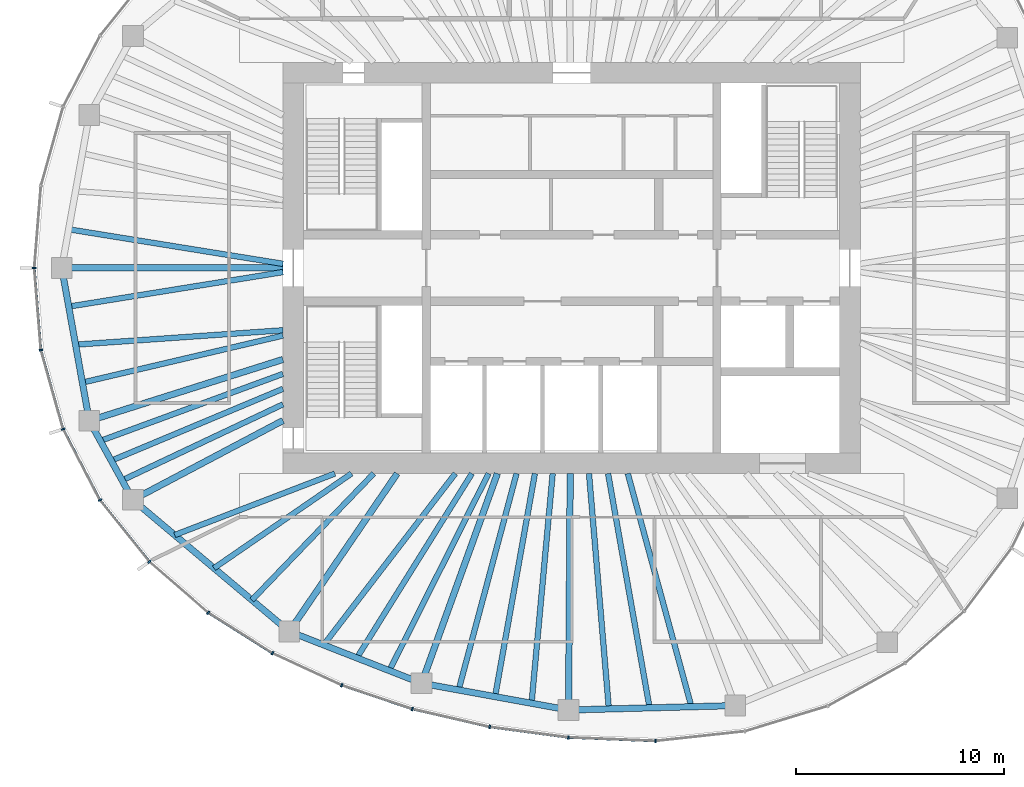
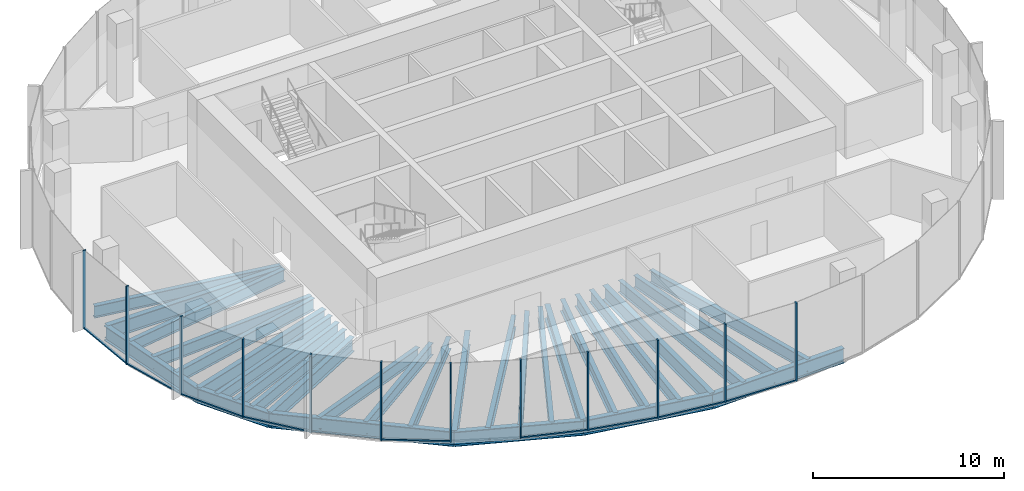
# One storey, part 2 of 11: 31 beams, 21 members, 6 elements without a shape of their own.
"""IFC4 building model written with IfcOpenShell, lengths in metres."""

from ifc_helpers import new_model, si_unit, direction, frame, origin, origin_2d, place, context, subcontext, project, spatial, rectangle, i_section, extrude, material, material_profile, profile_set, type_object, element, aggregate, save


model = new_model("IFC4")

# Units and contexts
model_context = context("Model", 3, precision=1e-05, world=origin(), true_north=direction((0.0, 1.0)))
body_context = subcontext(model_context, "Body", "Model", "MODEL_VIEW")
ifc_project = project(units=[si_unit("LENGTHUNIT", "METRE"), si_unit("AREAUNIT", "SQUARE_METRE"), si_unit("VOLUMEUNIT", "CUBIC_METRE"), si_unit("PLANEANGLEUNIT", "RADIAN"), si_unit("MASSUNIT", "GRAM", prefix="KILO")], contexts=[model_context])

# Site, building, storey
site_placement = place(None, origin())
site = spatial("IfcSite", under=ifc_project, at=site_placement, CompositionType="ELEMENT")
building_placement = place(site_placement, origin())
building = spatial("IfcBuilding", under=site, at=building_placement, Name="Ghaith Harvest Tower", CompositionType="ELEMENT")
storey_placement = place(building_placement, frame((0.0, 0.0, 334.199951171875)))
storey = spatial("IfcBuildingStorey", under=building, at=storey_placement, Name="L75", CompositionType="ELEMENT", Elevation=334.199951171875)

# Curtain wall, members
ifc_material_1 = material(Name="Black anodised aluminium and fritted glass", Category="aluminium")
curtain_wall_type = type_object("IfcCurtainWallType", Name="CW-T CURTAIN WALL", PredefinedType="NOTDEFINED", material=ifc_material_1)
curtain_wall_1_placement = place(storey_placement, origin())
curtain_wall_1 = element("IfcCurtainWall", 1, at=curtain_wall_1_placement, inside=storey, type_object=curtain_wall_type, Name="Curtain wall CW-T bay 11 L75", PredefinedType="NOTDEFINED")
ifc_material_2 = material(Name="Aluminium, black anodised", Category="aluminium")
ifc_material_profile_1 = material_profile(ifc_material_2, rectangle(XDim=0.080078125, YDim=0.179931640625, at=origin_2d()), Name="CW-T MULLION 80x180")
ifc_profile_set_1 = profile_set([ifc_material_profile_1], Name="Aluminium, black anodised")
member_type_1 = type_object("IfcMemberType", Name="CW-T MULLION 80x180", PredefinedType="MULLION", material=ifc_profile_set_1)
member_1_placement = place(storey_placement, frame((-25.8701171875, 0.0, 0.0), z_axis=(0.0, 0.0, 1.0), x_axis=(-1.05e-10, -1.0, 0.0)))
member_1 = element("IfcMember", 2, at=member_1_placement, type_object=member_type_1, Name="CW-T mullion 1 bay 11 L75", PredefinedType="MULLION", context=body_context, shape_type="SweptSolid", body=[
    extrude(rectangle(XDim=0.080078125, YDim=0.179931640625, at=origin_2d()), origin(), (0.0, 0.0, 1.0), 5.0),
])
member_2_placement = place(storey_placement, frame((-25.5517578125, -3.9521484375, 0.0), z_axis=(0.0, 0.0, 1.0), x_axis=(0.176001391003, -0.98438991785, 0.0)))
member_2 = element("IfcMember", 3, at=member_2_placement, type_object=member_type_1, Name="CW-T mullion 2 bay 11 L75", PredefinedType="MULLION", context=body_context, shape_type="SweptSolid", body=[
    extrude(rectangle(XDim=0.080078125, YDim=0.179931640625, at=origin_2d()), origin(), (0.0, 0.0, 1.0), 5.0),
])

curtain_wall_2_placement = place(storey_placement, origin())
curtain_wall_2 = element("IfcCurtainWall", 4, at=curtain_wall_2_placement, inside=storey, type_object=curtain_wall_type, Name="Curtain wall CW-T bay 12 L75", PredefinedType="NOTDEFINED")
member_3_placement = place(storey_placement, frame((-24.482666015625, -7.759033203125, 0.0), z_axis=(0.0, 0.0, 1.0), x_axis=(0.366473104734, -0.930428645038, 0.0)))
member_3 = element("IfcMember", 5, at=member_3_placement, type_object=member_type_1, Name="CW-T mullion 1 bay 12 L75", PredefinedType="MULLION", context=body_context, shape_type="SweptSolid", body=[
    extrude(rectangle(XDim=0.080078125, YDim=0.179931640625, at=origin_2d()), origin(), (0.0, 0.0, 1.0), 5.0),
])
member_4_placement = place(storey_placement, frame((-22.706298828125, -11.176513671875, 0.0), z_axis=(0.0, 0.0, 1.0), x_axis=(0.545865412431, -0.837872873121, 0.0)))
member_4 = element("IfcMember", 6, at=member_4_placement, type_object=member_type_1, Name="CW-T mullion 2 bay 12 L75", PredefinedType="MULLION", context=body_context, shape_type="SweptSolid", body=[
    extrude(rectangle(XDim=0.080078125, YDim=0.179931640625, at=origin_2d()), origin(), (0.0, 0.0, 1.0), 5.0),
])

curtain_wall_3_placement = place(storey_placement, origin())
curtain_wall_3 = element("IfcCurtainWall", 7, at=curtain_wall_3_placement, inside=storey, type_object=curtain_wall_type, Name="Curtain wall CW-T bay 13 L75", PredefinedType="NOTDEFINED")
member_5_placement = place(storey_placement, frame((-20.324462890625, -14.141845703125, 0.0), z_axis=(0.0, 0.0, 1.0), x_axis=(0.692826491831, -0.721104328248, 0.0)))
member_5 = element("IfcMember", 8, at=member_5_placement, type_object=member_type_1, Name="CW-T mullion 1 bay 13 L75", PredefinedType="MULLION", context=body_context, shape_type="SweptSolid", body=[
    extrude(rectangle(XDim=0.080078125, YDim=0.179931640625, at=origin_2d()), origin(), (0.0, 0.0, 1.0), 5.0),
])
member_6_placement = place(storey_placement, frame((-17.49462890625, -16.600830078125, 0.0), z_axis=(0.0, 0.0, 1.0), x_axis=(0.802189888845, -0.59706899286, 0.0)))
member_6 = element("IfcMember", 9, at=member_6_placement, type_object=member_type_1, Name="CW-T mullion 2 bay 13 L75", PredefinedType="MULLION", context=body_context, shape_type="SweptSolid", body=[
    extrude(rectangle(XDim=0.080078125, YDim=0.179931640625, at=origin_2d()), origin(), (0.0, 0.0, 1.0), 5.0),
])

curtain_wall_4_placement = place(storey_placement, origin())
curtain_wall_4 = element("IfcCurtainWall", 10, at=curtain_wall_4_placement, inside=storey, type_object=curtain_wall_type, Name="Curtain wall CW-T bay 14 L75", PredefinedType="NOTDEFINED")
member_7_placement = place(storey_placement, frame((-14.40478515625, -18.5478515625, 0.0), z_axis=(0.0, 0.0, 1.0), x_axis=(0.878671732732, -0.477426419564, 0.0)))
member_7 = element("IfcMember", 11, at=member_7_placement, type_object=member_type_1, Name="CW-T mullion 1 bay 14 L75", PredefinedType="MULLION", context=body_context, shape_type="SweptSolid", body=[
    extrude(rectangle(XDim=0.080078125, YDim=0.179931640625, at=origin_2d()), origin(), (0.0, 0.0, 1.0), 5.0),
])
member_8_placement = place(storey_placement, frame((-11.0673828125, -20.093017578125, 0.0), z_axis=(0.0, 0.0, 1.0), x_axis=(0.92862442092, -0.371021138038, 0.0)))
member_8 = element("IfcMember", 12, at=member_8_placement, type_object=member_type_1, Name="CW-T mullion 2 bay 14 L75", PredefinedType="MULLION", context=body_context, shape_type="SweptSolid", body=[
    extrude(rectangle(XDim=0.080078125, YDim=0.179931640625, at=origin_2d()), origin(), (0.0, 0.0, 1.0), 5.0),
])

curtain_wall_5_placement = place(storey_placement, origin())
curtain_wall_5 = element("IfcCurtainWall", 13, at=curtain_wall_5_placement, inside=storey, type_object=curtain_wall_type, Name="Curtain wall CW-T bay 15 L75", PredefinedType="NOTDEFINED")
member_9_placement = place(storey_placement, frame((-7.6708984375, -21.23828125, 0.0), z_axis=(0.0, 0.0, 1.0), x_axis=(0.962552491659, -0.271095372151, 0.0)))
member_9 = element("IfcMember", 14, at=member_9_placement, type_object=member_type_1, Name="CW-T mullion 1 bay 15 L75", PredefinedType="MULLION", context=body_context, shape_type="SweptSolid", body=[
    extrude(rectangle(XDim=0.080078125, YDim=0.179931640625, at=origin_2d()), origin(), (0.0, 0.0, 1.0), 5.0),
])
member_10_placement = place(storey_placement, frame((-3.946533203125, -22.0986328125, 0.0), z_axis=(0.0, 0.0, 1.0), x_axis=(0.983843447712, -0.179030920217, 0.0)))
member_10 = element("IfcMember", 15, at=member_10_placement, type_object=member_type_1, Name="CW-T mullion 2 bay 15 L75", PredefinedType="MULLION", context=body_context, shape_type="SweptSolid", body=[
    extrude(rectangle(XDim=0.080078125, YDim=0.179931640625, at=origin_2d()), origin(), (0.0, 0.0, 1.0), 5.0),
])

curtain_wall_6_placement = place(storey_placement, origin())
curtain_wall_6 = element("IfcCurtainWall", 16, at=curtain_wall_6_placement, inside=storey, type_object=curtain_wall_type, Name="Curtain wall CW-T bay 16 L75", PredefinedType="NOTDEFINED")
member_11_placement = place(storey_placement, frame((-0.15478515625, -22.60595703125, 0.0), z_axis=(0.0, 0.0, 1.0), x_axis=(0.996414855524, -0.084601629366, 0.0)))
member_11 = element("IfcMember", 17, at=member_11_placement, type_object=member_type_1, Name="CW-T mullion 1 bay 16 L75", PredefinedType="MULLION", context=body_context, shape_type="SweptSolid", body=[
    extrude(rectangle(XDim=0.080078125, YDim=0.179931640625, at=origin_2d()), origin(), (0.0, 0.0, 1.0), 5.0),
])
member_12_placement = place(storey_placement, frame((4.037841796875, -22.776611328125, 0.0), z_axis=(0.0, 0.0, 1.0), x_axis=(0.999388631241, 0.034962318939, 0.0)))
member_12 = element("IfcMember", 18, at=member_12_placement, type_object=member_type_1, Name="CW-T mullion 2 bay 16 L75", PredefinedType="MULLION", context=body_context, shape_type="SweptSolid", body=[
    extrude(rectangle(XDim=0.080078125, YDim=0.179931640625, at=origin_2d()), origin(), (0.0, 0.0, 1.0), 5.0),
])

# Member
ifc_material_3 = material(Name="Aluminium, black anodised", Category="aluminium")
ifc_material_profile_2 = material_profile(ifc_material_3, rectangle(XDim=0.1201171875, YDim=0.080078125, at=origin_2d()), Name="CW-T TRANSOM 120x80")
ifc_profile_set_2 = profile_set([ifc_material_profile_2], Name="Aluminium, black anodised")
member_type_2 = type_object("IfcMemberType", Name="CW-T TRANSOM 120x80", PredefinedType="USERDEFINED", material=ifc_profile_set_2)
member_13_placement = place(storey_placement, frame((-25.86669921875, -0.039794921875, 0.0400390625), z_axis=(0.08025226314, -0.996774585481, 0.0), x_axis=(0.996774585481, 0.08025226314, 0.0)))
member_13 = element("IfcMember", 19, at=member_13_placement, type_object=member_type_2, Name="CW-T transom 1 bay 11 L75", ObjectType="TRANSOM", PredefinedType="USERDEFINED", context=body_context, shape_type="SweptSolid", body=[
    extrude(rectangle(XDim=0.1201171875, YDim=0.080078125, at=origin_2d()), origin(), (0.0, 0.0, 1.0), 3.884765625),
])

member_14_placement = place(storey_placement, frame((-25.541015625, -3.990478515625, 0.0400390625), z_axis=(0.270340422972, -0.962764797709, 0.0), x_axis=(0.962764797709, 0.270340422972, 0.0)))
member_14 = element("IfcMember", 20, at=member_14_placement, type_object=member_type_2, Name="CW-T transom 2 bay 11 L75", ObjectType="TRANSOM", PredefinedType="USERDEFINED", context=body_context, shape_type="SweptSolid", body=[
    extrude(rectangle(XDim=0.1201171875, YDim=0.080078125, at=origin_2d()), origin(), (0.0, 0.0, 1.0), 3.874267578125),
])

aggregate(curtain_wall_1, [member_1, member_13, member_2, member_14])

member_15_placement = place(storey_placement, frame((-24.46435546875, -7.79443359375, 0.0400390625), z_axis=(0.461242681347, -0.887274021317, 0.0), x_axis=(0.887274021317, 0.461242681347, 0.0)))
member_15 = element("IfcMember", 21, at=member_15_placement, type_object=member_type_2, Name="CW-T transom 1 bay 12 L75", ObjectType="TRANSOM", PredefinedType="USERDEFINED", context=body_context, shape_type="SweptSolid", body=[
    extrude(rectangle(XDim=0.1201171875, YDim=0.080078125, at=origin_2d()), origin(), (0.0, 0.0, 1.0), 3.77197265625),
])

member_16_placement = place(storey_placement, frame((-22.68115234375, -11.207763671875, 0.0400390625), z_axis=(0.626253073761, -0.779619835307, 0.0), x_axis=(0.779619835307, 0.626253073761, 0.0)))
member_16 = element("IfcMember", 22, at=member_16_placement, type_object=member_type_2, Name="CW-T transom 2 bay 12 L75", ObjectType="TRANSOM", PredefinedType="USERDEFINED", context=body_context, shape_type="SweptSolid", body=[
    extrude(rectangle(XDim=0.1201171875, YDim=0.080078125, at=origin_2d()), origin(), (0.0, 0.0, 1.0), 3.723388671875),
])

aggregate(curtain_wall_2, [member_3, member_15, member_4, member_16])

member_17_placement = place(storey_placement, frame((-17.4609375, -16.6220703125, 0.0400390625), z_axis=(0.846053602505, -0.533097835006, 0.0), x_axis=(0.533097835006, 0.846053602505, 0.0)))
member_17 = element("IfcMember", 23, at=member_17_placement, type_object=member_type_2, Name="CW-T transom 2 bay 13 L75", ObjectType="TRANSOM", PredefinedType="USERDEFINED", context=body_context, shape_type="SweptSolid", body=[
    extrude(rectangle(XDim=0.1201171875, YDim=0.080078125, at=origin_2d()), origin(), (0.0, 0.0, 1.0), 3.572021484375),
])

aggregate(curtain_wall_3, [member_5, member_6, member_17])

member_18_placement = place(storey_placement, frame((-11.029541015625, -20.105712890625, 0.0400390625), z_axis=(0.9475698206, -0.319548799228, 0.0), x_axis=(0.319548799228, 0.9475698206, 0.0)))
member_18 = element("IfcMember", 24, at=member_18_placement, type_object=member_type_2, Name="CW-T transom 2 bay 14 L75", ObjectType="TRANSOM", PredefinedType="USERDEFINED", context=body_context, shape_type="SweptSolid", body=[
    extrude(rectangle(XDim=0.1201171875, YDim=0.080078125, at=origin_2d()), origin(), (0.0, 0.0, 1.0), 3.504638671875),
])

aggregate(curtain_wall_4, [member_7, member_8, member_18])

member_19_placement = place(storey_placement, frame((-7.6318359375, -21.247314453125, 0.0400390625), z_axis=(0.974344997799, -0.225059603803, 0.0), x_axis=(0.225059603803, 0.974344997799, 0.0)))
member_19 = element("IfcMember", 25, at=member_19_placement, type_object=member_type_2, Name="CW-T transom 1 bay 15 L75", ObjectType="TRANSOM", PredefinedType="USERDEFINED", context=body_context, shape_type="SweptSolid", body=[
    extrude(rectangle(XDim=0.1201171875, YDim=0.080078125, at=origin_2d()), origin(), (0.0, 0.0, 1.0), 3.742431640625),
])

member_20_placement = place(storey_placement, frame((-3.90673828125, -22.10400390625, 0.0400390625), z_axis=(0.99117202259, -0.132582131655, 0.0), x_axis=(0.132582131655, 0.99117202259, 0.0)))
member_20 = element("IfcMember", 26, at=member_20_placement, type_object=member_type_2, Name="CW-T transom 2 bay 15 L75", ObjectType="TRANSOM", PredefinedType="USERDEFINED", context=body_context, shape_type="SweptSolid", body=[
    extrude(rectangle(XDim=0.1201171875, YDim=0.080078125, at=origin_2d()), origin(), (0.0, 0.0, 1.0), 3.745361328125),
])

aggregate(curtain_wall_5, [member_9, member_19, member_10, member_20])

member_21_placement = place(storey_placement, frame((-0.11474609375, -22.607666015625, 0.0400390625), z_axis=(0.999174207562, -0.040631304968, 0.0), x_axis=(0.040631304968, 0.999174207562, 0.0)))
member_21 = element("IfcMember", 27, at=member_21_placement, type_object=member_type_2, Name="CW-T transom 1 bay 16 L75", ObjectType="TRANSOM", PredefinedType="USERDEFINED", context=body_context, shape_type="SweptSolid", body=[
    extrude(rectangle(XDim=0.1201171875, YDim=0.080078125, at=origin_2d()), origin(), (0.0, 0.0, 1.0), 4.115966796875),
])

aggregate(curtain_wall_6, [member_11, member_21, member_12])

# Beams
ifc_material_4 = material(Name="Steel ASTM A992 Grade 50", Category="steel")
ifc_material_profile_3 = material_profile(ifc_material_4, i_section(OverallWidth=0.306884765625, OverallDepth=0.94189453125, WebThickness=0.022216796875, FlangeThickness=0.039794921875, at=origin_2d()), Name="W920X345")
ifc_profile_set_3 = profile_set([ifc_material_profile_3], Name="Steel ASTM A992 Grade 50")
beam_type_1 = type_object("IfcBeamType", Name="E920-345 W920X345", PredefinedType="SPANDREL", material=ifc_profile_set_3)
beam_1_placement = place(storey_placement, frame((-24.550048828125, 0.0, -0.696044921875), z_axis=(0.177296554745, -0.984157473007, 0.0), x_axis=(0.984157473007, 0.177296554745, 0.0)))
element("IfcBeam", 28, at=beam_1_placement, inside=storey, type_object=beam_type_1, Name="Edge beam E11 L75", PredefinedType="SPANDREL", context=body_context, shape_type="SweptSolid", body=[
    extrude(i_section(OverallWidth=0.306884765625, OverallDepth=0.94189453125, WebThickness=0.022216796875, FlangeThickness=0.039794921875, at=origin_2d()), origin(), (0.0, 0.0, 1.0), 7.478515625),
])
beam_2_placement = place(storey_placement, frame((-23.22412109375, -7.360107421875, -0.696044921875), z_axis=(0.482955575345, -0.875644855089, 0.0), x_axis=(0.875644855089, 0.482955575345, 0.0)))
element("IfcBeam", 29, at=beam_2_placement, inside=storey, type_object=beam_type_1, Name="Edge beam E12 L75", PredefinedType="SPANDREL", context=body_context, shape_type="SweptSolid", body=[
    extrude(i_section(OverallWidth=0.306884765625, OverallDepth=0.94189453125, WebThickness=0.022216796875, FlangeThickness=0.039794921875, at=origin_2d()), origin(), (0.0, 0.0, 1.0), 4.346435546875),
])
beam_3_placement = place(storey_placement, frame((-21.125, -11.166015625, -0.696044921875), z_axis=(0.765021818761, -0.64400436087, 0.0), x_axis=(0.64400436087, 0.765021818761, 0.0)))
element("IfcBeam", 30, at=beam_3_placement, inside=storey, type_object=beam_type_1, Name="Edge beam E13 L75", PredefinedType="SPANDREL", context=body_context, shape_type="SweptSolid", body=[
    extrude(i_section(OverallWidth=0.306884765625, OverallDepth=0.94189453125, WebThickness=0.022216796875, FlangeThickness=0.039794921875, at=origin_2d()), origin(), (0.0, 0.0, 1.0), 9.8427734375),
])
beam_4_placement = place(storey_placement, frame((-13.594970703125, -17.5048828125, -0.696044921875), z_axis=(0.931322768207, -0.364194867371, 0.0), x_axis=(0.364194867371, 0.931322768207, 0.0)))
element("IfcBeam", 31, at=beam_4_placement, inside=storey, type_object=beam_type_1, Name="Edge beam E14 L75", PredefinedType="SPANDREL", context=body_context, shape_type="SweptSolid", body=[
    extrude(i_section(OverallWidth=0.306884765625, OverallDepth=0.94189453125, WebThickness=0.022216796875, FlangeThickness=0.039794921875, at=origin_2d()), origin(), (0.0, 0.0, 1.0), 6.843017578125),
])
beam_5_placement = place(storey_placement, frame((-7.221923828125, -19.9970703125, -0.696044921875), z_axis=(0.983813921429, -0.179193102551, 0.0), x_axis=(0.179193102551, 0.983813921429, 0.0)))
element("IfcBeam", 32, at=beam_5_placement, inside=storey, type_object=beam_type_1, Name="Edge beam E15 L75", PredefinedType="SPANDREL", context=body_context, shape_type="SweptSolid", body=[
    extrude(i_section(OverallWidth=0.306884765625, OverallDepth=0.94189453125, WebThickness=0.022216796875, FlangeThickness=0.039794921875, at=origin_2d()), origin(), (0.0, 0.0, 1.0), 7.1923828125),
])
beam_6_placement = place(storey_placement, frame((-0.14599609375, -21.285888671875, -0.696044921875), z_axis=(0.999644979696, 0.02664422206, 0.0), x_axis=(-0.02664422206, 0.999644979696, 0.0)))
element("IfcBeam", 33, at=beam_6_placement, inside=storey, type_object=beam_type_1, Name="Edge beam E16 L75", PredefinedType="SPANDREL", context=body_context, shape_type="SweptSolid", body=[
    extrude(i_section(OverallWidth=0.306884765625, OverallDepth=0.94189453125, WebThickness=0.022216796875, FlangeThickness=0.039794921875, at=origin_2d()), origin(), (0.0, 0.0, 1.0), 8.02685546875),
])
ifc_material_5 = material(Name="Steel ASTM A992 Grade 50", Category="steel")
ifc_material_profile_4 = material_profile(ifc_material_5, i_section(OverallWidth=0.31005859375, OverallDepth=0.927001953125, WebThickness=0.019287109375, FlangeThickness=0.031982421875, at=origin_2d()), Name="W920X289")
ifc_profile_set_4 = profile_set([ifc_material_profile_4], Name="Steel ASTM A992 Grade 50")
beam_type_2 = type_object("IfcBeamType", Name="G920-289 W920X289", PredefinedType="BEAM", material=ifc_profile_set_4)
beam_7_placement = place(storey_placement, frame((-13.89990234375, 0.0, -0.6884765625), z_axis=(-1.0, 0.0, 0.0), x_axis=(0.0, -1.0, 0.0)))
element("IfcBeam", 34, at=beam_7_placement, inside=storey, type_object=beam_type_2, Name="Radial girder G11 L75", PredefinedType="BEAM", context=body_context, shape_type="SweptSolid", body=[
    extrude(i_section(OverallWidth=0.31005859375, OverallDepth=0.927001953125, WebThickness=0.019287109375, FlangeThickness=0.031982421875, at=origin_2d()), origin(), (0.0, 0.0, 1.0), 10.650146484375),
])
beam_8_placement = place(storey_placement, frame((-13.89990234375, -4.4052734375, -0.6884765625), z_axis=(-0.953278508772, -0.302092841215, 0.0), x_axis=(0.302092841215, -0.953278508772, 0.0)))
element("IfcBeam", 35, at=beam_8_placement, inside=storey, type_object=beam_type_2, Name="Radial girder G12 L75", PredefinedType="BEAM", context=body_context, shape_type="SweptSolid", body=[
    extrude(i_section(OverallWidth=0.31005859375, OverallDepth=0.927001953125, WebThickness=0.019287109375, FlangeThickness=0.031982421875, at=origin_2d()), origin(), (0.0, 0.0, 1.0), 9.78125),
])
beam_9_placement = place(storey_placement, frame((-13.89990234375, -7.34716796875, -0.6884765625), z_axis=(-0.88410164037, -0.467294649546, 0.0), x_axis=(0.467294649546, -0.88410164037, 0.0)))
element("IfcBeam", 36, at=beam_9_placement, inside=storey, type_object=beam_type_2, Name="Radial girder G13 L75", PredefinedType="BEAM", context=body_context, shape_type="SweptSolid", body=[
    extrude(i_section(OverallWidth=0.31005859375, OverallDepth=0.927001953125, WebThickness=0.019287109375, FlangeThickness=0.031982421875, at=origin_2d()), origin(), (0.0, 0.0, 1.0), 8.17236328125),
])
beam_10_placement = place(storey_placement, frame((-8.39990234375, -9.89990234375, -0.6884765625), z_axis=(-0.564067018201, -0.825729010619, 0.0), x_axis=(0.825729010619, -0.564067018201, 0.0)))
element("IfcBeam", 37, at=beam_10_placement, inside=storey, type_object=beam_type_2, Name="Radial girder G14 L75", PredefinedType="BEAM", context=body_context, shape_type="SweptSolid", body=[
    extrude(i_section(OverallWidth=0.31005859375, OverallDepth=0.927001953125, WebThickness=0.019287109375, FlangeThickness=0.031982421875, at=origin_2d()), origin(), (0.0, 0.0, 1.0), 9.2099609375),
])
beam_11_placement = place(storey_placement, frame((-3.57568359375, -9.89990234375, -0.6884765625), z_axis=(-0.339647816823, -0.940552688863, 0.0), x_axis=(0.940552688863, -0.339647816823, 0.0)))
element("IfcBeam", 38, at=beam_11_placement, inside=storey, type_object=beam_type_2, Name="Radial girder G15 L75", PredefinedType="BEAM", context=body_context, shape_type="SweptSolid", body=[
    extrude(i_section(OverallWidth=0.31005859375, OverallDepth=0.927001953125, WebThickness=0.019287109375, FlangeThickness=0.031982421875, at=origin_2d()), origin(), (0.0, 0.0, 1.0), 10.7353515625),
])
beam_12_placement = place(storey_placement, frame((-0.06787109375, -9.89990234375, -0.6884765625), z_axis=(-0.006861343299, -0.999976460707, 0.0), x_axis=(0.999976460707, -0.006861343299, 0.0)))
element("IfcBeam", 39, at=beam_12_placement, inside=storey, type_object=beam_type_2, Name="Radial girder G16 L75", PredefinedType="BEAM", context=body_context, shape_type="SweptSolid", body=[
    extrude(i_section(OverallWidth=0.31005859375, OverallDepth=0.927001953125, WebThickness=0.019287109375, FlangeThickness=0.031982421875, at=origin_2d()), origin(), (0.0, 0.0, 1.0), 11.38623046875),
])
ifc_material_6 = material(Name="Steel ASTM A992 Grade 50", Category="steel")
ifc_material_profile_5 = material_profile(ifc_material_6, i_section(OverallWidth=0.26806640625, OverallDepth=0.77001953125, WebThickness=0.015625, FlangeThickness=0.025390625, at=origin_2d()), Name="W760X196")
ifc_profile_set_5 = profile_set([ifc_material_profile_5], Name="Steel ASTM A992 Grade 50")
beam_type_3 = type_object("IfcBeamType", Name="J760-196 W760X196", PredefinedType="JOIST", material=ifc_profile_set_5)
for number, where, z_axis, x_axis, name in (
    (40, (-13.89990234375, 0.199951171875, -0.60986328125), (-0.987271793524, 0.159042150743, 0.0), (-0.159042150743, -0.987271793524, 0.0), "Joist J10.3 L75"),
    (41, (-13.89990234375, -0.199951171875, -0.60986328125), (-0.987271793524, -0.159042150743, 0.0), (0.159042150743, -0.987271793524, 0.0), "Joist J11.1 L75"),
):
    element("IfcBeam", number, at=place(storey_placement, frame(where, z_axis=z_axis, x_axis=x_axis)), inside=storey, type_object=beam_type_3, Name=name, PredefinedType="JOIST", context=body_context, shape_type="SweptSolid", body=[
        extrude(i_section(OverallWidth=0.26806640625, OverallDepth=0.77001953125, WebThickness=0.015625, FlangeThickness=0.025390625, at=origin_2d()), origin(), (0.0, 0.0, 1.0), 10.44775390625),
    ])
beam_13_placement = place(storey_placement, frame((-13.89990234375, -3.0, -0.60986328125), z_axis=(-0.997592478057, -0.069348739886, 0.0), x_axis=(0.069348739886, -0.997592478057, 0.0)))
element("IfcBeam", 42, at=beam_13_placement, inside=storey, type_object=beam_type_3, Name="Joist J11.2 L75", PredefinedType="JOIST", context=body_context, shape_type="SweptSolid", body=[
    extrude(i_section(OverallWidth=0.26806640625, OverallDepth=0.77001953125, WebThickness=0.015625, FlangeThickness=0.025390625, at=origin_2d()), origin(), (0.0, 0.0, 1.0), 10.0087890625),
])
beam_14_placement = place(storey_placement, frame((-13.89990234375, -3.257080078125, -0.60986328125), z_axis=(-0.973623403271, -0.228161058472, 0.0), x_axis=(0.228161058472, -0.973623403271, 0.0)))
element("IfcBeam", 43, at=beam_14_placement, inside=storey, type_object=beam_type_3, Name="Joist J11.3 L75", PredefinedType="JOIST", context=body_context, shape_type="SweptSolid", body=[
    extrude(i_section(OverallWidth=0.26806640625, OverallDepth=0.77001953125, WebThickness=0.015625, FlangeThickness=0.025390625, at=origin_2d()), origin(), (0.0, 0.0, 1.0), 9.9169921875),
])
beam_15_placement = place(storey_placement, frame((-13.89990234375, -5.101318359375, -0.60986328125), z_axis=(-0.938776837502, -0.34452583266, 0.0), x_axis=(0.34452583266, -0.938776837502, 0.0)))
element("IfcBeam", 44, at=beam_15_placement, inside=storey, type_object=beam_type_3, Name="Joist J12.1 L75", PredefinedType="JOIST", context=body_context, shape_type="SweptSolid", body=[
    extrude(i_section(OverallWidth=0.26806640625, OverallDepth=0.77001953125, WebThickness=0.015625, FlangeThickness=0.025390625, at=origin_2d()), origin(), (0.0, 0.0, 1.0), 9.36376953125),
])
beam_16_placement = place(storey_placement, frame((-13.89990234375, -5.82080078125, -0.60986328125), z_axis=(-0.922394258818, -0.38624970071, 0.0), x_axis=(0.38624970071, -0.922394258818, 0.0)))
element("IfcBeam", 45, at=beam_16_placement, inside=storey, type_object=beam_type_3, Name="Joist J12.2 L75", PredefinedType="JOIST", context=body_context, shape_type="SweptSolid", body=[
    extrude(i_section(OverallWidth=0.26806640625, OverallDepth=0.77001953125, WebThickness=0.015625, FlangeThickness=0.025390625, at=origin_2d()), origin(), (0.0, 0.0, 1.0), 8.959716796875),
])
beam_17_placement = place(storey_placement, frame((-13.89990234375, -6.56787109375, -0.60986328125), z_axis=(-0.904165769726, -0.427181765594, 0.0), x_axis=(0.427181765594, -0.904165769726, 0.0)))
element("IfcBeam", 46, at=beam_17_placement, inside=storey, type_object=beam_type_3, Name="Joist J12.3 L75", PredefinedType="JOIST", context=body_context, shape_type="SweptSolid", body=[
    extrude(i_section(OverallWidth=0.26806640625, OverallDepth=0.77001953125, WebThickness=0.015625, FlangeThickness=0.025390625, at=origin_2d()), origin(), (0.0, 0.0, 1.0), 8.564208984375),
])
beam_18_placement = place(storey_placement, frame((-11.39990234375, -9.89990234375, -0.60986328125), z_axis=(-0.933583045329, -0.358361127181, 0.0), x_axis=(0.358361127181, -0.933583045329, 0.0)))
element("IfcBeam", 47, at=beam_18_placement, inside=storey, type_object=beam_type_3, Name="Joist J13.1 L75", PredefinedType="JOIST", context=body_context, shape_type="SweptSolid", body=[
    extrude(i_section(OverallWidth=0.26806640625, OverallDepth=0.77001953125, WebThickness=0.015625, FlangeThickness=0.025390625, at=origin_2d()), origin(), (0.0, 0.0, 1.0), 8.260986328125),
])
beam_19_placement = place(storey_placement, frame((-10.60009765625, -9.89990234375, -0.60986328125), z_axis=(-0.823778502511, -0.566911791023, 0.0), x_axis=(0.566911791023, -0.823778502511, 0.0)))
element("IfcBeam", 48, at=beam_19_placement, inside=storey, type_object=beam_type_3, Name="Joist J13.2 L75", PredefinedType="JOIST", context=body_context, shape_type="SweptSolid", body=[
    extrude(i_section(OverallWidth=0.26806640625, OverallDepth=0.77001953125, WebThickness=0.015625, FlangeThickness=0.025390625, at=origin_2d()), origin(), (0.0, 0.0, 1.0), 8.0341796875),
])
beam_20_placement = place(storey_placement, frame((-9.530517578125, -9.89990234375, -0.60986328125), z_axis=(-0.693536238632, -0.720421741554, 0.0), x_axis=(0.720421741554, -0.693536238632, 0.0)))
element("IfcBeam", 49, at=beam_20_placement, inside=storey, type_object=beam_type_3, Name="Joist J13.3 L75", PredefinedType="JOIST", context=body_context, shape_type="SweptSolid", body=[
    extrude(i_section(OverallWidth=0.26806640625, OverallDepth=0.77001953125, WebThickness=0.015625, FlangeThickness=0.025390625, at=origin_2d()), origin(), (0.0, 0.0, 1.0), 8.4541015625),
])
beam_21_placement = place(storey_placement, frame((-5.60009765625, -9.89990234375, -0.60986328125), z_axis=(-0.609353577926, -0.792898617144, 0.0), x_axis=(0.792898617144, -0.609353577926, 0.0)))
element("IfcBeam", 50, at=beam_21_placement, inside=storey, type_object=beam_type_3, Name="Joist J14.1 L75", PredefinedType="JOIST", context=body_context, shape_type="SweptSolid", body=[
    extrude(i_section(OverallWidth=0.26806640625, OverallDepth=0.77001953125, WebThickness=0.015625, FlangeThickness=0.025390625, at=origin_2d()), origin(), (0.0, 0.0, 1.0), 10.406982421875),
])
beam_22_placement = place(storey_placement, frame((-4.800048828125, -9.89990234375, -0.60986328125), z_axis=(-0.529596254905, -0.848249849273, 0.0), x_axis=(0.848249849273, -0.529596254905, 0.0)))
element("IfcBeam", 51, at=beam_22_placement, inside=storey, type_object=beam_type_3, Name="Joist J14.2 L75", PredefinedType="JOIST", context=body_context, shape_type="SweptSolid", body=[
    extrude(i_section(OverallWidth=0.26806640625, OverallDepth=0.77001953125, WebThickness=0.015625, FlangeThickness=0.025390625, at=origin_2d()), origin(), (0.0, 0.0, 1.0), 10.465087890625),
])
beam_23_placement = place(storey_placement, frame((-4.0, -9.89990234375, -0.60986328125), z_axis=(-0.449556131123, -0.893252083664, 0.0), x_axis=(0.893252083664, -0.449556131123, 0.0)))
element("IfcBeam", 52, at=beam_23_placement, inside=storey, type_object=beam_type_3, Name="Joist J14.3 L75", PredefinedType="JOIST", context=body_context, shape_type="SweptSolid", body=[
    extrude(i_section(OverallWidth=0.26806640625, OverallDepth=0.77001953125, WebThickness=0.015625, FlangeThickness=0.025390625, at=origin_2d()), origin(), (0.0, 0.0, 1.0), 10.62353515625),
])
beam_24_placement = place(storey_placement, frame((-2.651123046875, -9.89990234375, -0.60986328125), z_axis=(-0.258678019609, -0.965963602923, 0.0), x_axis=(0.965963602923, -0.258678019609, 0.0)))
element("IfcBeam", 53, at=beam_24_placement, inside=storey, type_object=beam_type_3, Name="Joist J15.1 L75", PredefinedType="JOIST", context=body_context, shape_type="SweptSolid", body=[
    extrude(i_section(OverallWidth=0.26806640625, OverallDepth=0.77001953125, WebThickness=0.015625, FlangeThickness=0.025390625, at=origin_2d()), origin(), (0.0, 0.0, 1.0), 10.78857421875),
])
beam_25_placement = place(storey_placement, frame((-1.76806640625, -9.89990234375, -0.60986328125), z_axis=(-0.175803029262, -0.984425362789, 0.0), x_axis=(0.984425362789, -0.175803029262, 0.0)))
element("IfcBeam", 54, at=beam_25_placement, inside=storey, type_object=beam_type_3, Name="Joist J15.2 L75", PredefinedType="JOIST", context=body_context, shape_type="SweptSolid", body=[
    extrude(i_section(OverallWidth=0.26806640625, OverallDepth=0.77001953125, WebThickness=0.015625, FlangeThickness=0.025390625, at=origin_2d()), origin(), (0.0, 0.0, 1.0), 10.9111328125),
])
beam_26_placement = place(storey_placement, frame((-0.9111328125, -9.89990234375, -0.60986328125), z_axis=(-0.091651380942, -0.995791154998, 0.0), x_axis=(0.995791154998, -0.091651380942, 0.0)))
element("IfcBeam", 55, at=beam_26_placement, inside=storey, type_object=beam_type_3, Name="Joist J15.3 L75", PredefinedType="JOIST", context=body_context, shape_type="SweptSolid", body=[
    extrude(i_section(OverallWidth=0.26806640625, OverallDepth=0.77001953125, WebThickness=0.015625, FlangeThickness=0.025390625, at=origin_2d()), origin(), (0.0, 0.0, 1.0), 11.10791015625),
])
beam_27_placement = place(storey_placement, frame((0.836669921875, -9.89990234375, -0.60986328125), z_axis=(0.084201795166, -0.996448723061, 0.0), x_axis=(0.996448723061, 0.084201795166, 0.0)))
element("IfcBeam", 56, at=beam_27_placement, inside=storey, type_object=beam_type_3, Name="Joist J16.1 L75", PredefinedType="JOIST", context=body_context, shape_type="SweptSolid", body=[
    extrude(i_section(OverallWidth=0.26806640625, OverallDepth=0.77001953125, WebThickness=0.015625, FlangeThickness=0.025390625, at=origin_2d()), origin(), (0.0, 0.0, 1.0), 11.37451171875),
])
beam_28_placement = place(storey_placement, frame((1.7548828125, -9.89990234375, -0.60986328125), z_axis=(0.174572943493, -0.98464424408, 0.0), x_axis=(0.98464424408, 0.174572943493, 0.0)))
element("IfcBeam", 57, at=beam_28_placement, inside=storey, type_object=beam_type_3, Name="Joist J16.2 L75", PredefinedType="JOIST", context=body_context, shape_type="SweptSolid", body=[
    extrude(i_section(OverallWidth=0.26806640625, OverallDepth=0.77001953125, WebThickness=0.015625, FlangeThickness=0.025390625, at=origin_2d()), origin(), (0.0, 0.0, 1.0), 11.4580078125),
])
beam_29_placement = place(storey_placement, frame((2.70361328125, -9.89990234375, -0.60986328125), z_axis=(0.263468802698, -0.964667916956, 0.0), x_axis=(0.964667916956, 0.263468802698, 0.0)))
element("IfcBeam", 58, at=beam_29_placement, inside=storey, type_object=beam_type_3, Name="Joist J16.3 L75", PredefinedType="JOIST", context=body_context, shape_type="SweptSolid", body=[
    extrude(i_section(OverallWidth=0.26806640625, OverallDepth=0.77001953125, WebThickness=0.015625, FlangeThickness=0.025390625, at=origin_2d()), origin(), (0.0, 0.0, 1.0), 11.639404296875),
])

save(model, "model.ifc")
